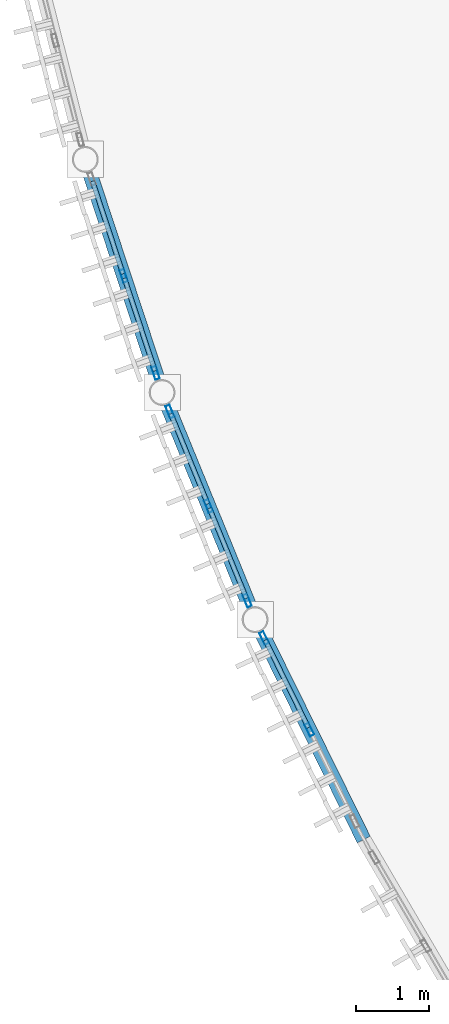
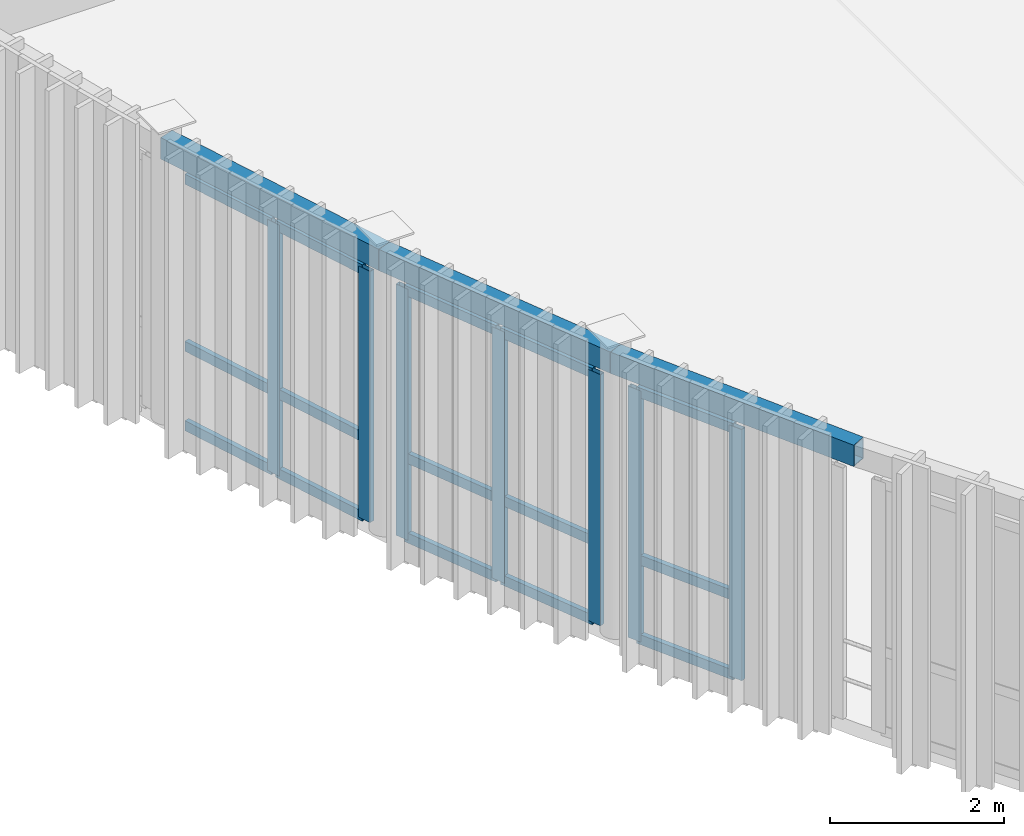
# One storey, part 9 of 26: 22 members, 3 beams, 3 elements without a shape of their own.
"""IFC4 building model written with IfcOpenShell, lengths in metres."""

from ifc_helpers import new_model, si_unit, direction, frame, origin, origin_2d, place, context, subcontext, project, spatial, hollow_rectangle, extrude, material, layer, layer_set, material_profile, profile_set, type_object, element, aggregate, save


model = new_model("IFC4")

# Units and contexts
model_context = context("Model", 3, precision=1e-05, world=origin(), true_north=direction((0.0, 1.0)))
body_context = subcontext(model_context, "Body", "Model", "MODEL_VIEW")
ifc_project = project(units=[si_unit("LENGTHUNIT", "METRE"), si_unit("AREAUNIT", "SQUARE_METRE"), si_unit("VOLUMEUNIT", "CUBIC_METRE"), si_unit("PLANEANGLEUNIT", "RADIAN"), si_unit("MASSUNIT", "GRAM", prefix="KILO")], contexts=[model_context])

# Site, building, storey
site_placement = place(None, origin())
site = spatial("IfcSite", under=ifc_project, at=site_placement, CompositionType="ELEMENT")
building_placement = place(site_placement, origin())
building = spatial("IfcBuilding", under=site, at=building_placement, Name="Selat Folded Stagehouse", CompositionType="ELEMENT")
storey_placement = place(building_placement, frame((0.0, 0.0, 23.39990234375)))
storey = spatial("IfcBuildingStorey", under=building, at=storey_placement, Name="L05", CompositionType="ELEMENT", Elevation=23.39990234375)

# Curtain wall, members
ifc_material_1 = material(Name="Aluminium 6063-T6", Category="aluminium")
ifc_layer = layer(ifc_material_1, 0.18505859375)
ifc_layer_set = layer_set([ifc_layer], Name="Aluminium 6063-T6")
curtain_wall_type = type_object("IfcCurtainWallType", Name="CW-DRM-UPPER", PredefinedType="NOTDEFINED", material=ifc_layer_set)
curtain_wall_1_placement = place(storey_placement, origin())
curtain_wall_1 = element("IfcCurtainWall", 1, at=curtain_wall_1_placement, inside=storey, type_object=curtain_wall_type, Name="L05 curtain wall CW-DRM-L05-06", PredefinedType="NOTDEFINED")
ifc_material_profile_1 = material_profile(ifc_material_1, hollow_rectangle(XDim=0.06494140625, YDim=0.179931640625, WallThickness=0.00390625, at=origin_2d()), Name="ALU 180x65x4.0")
ifc_profile_set_1 = profile_set([ifc_material_profile_1], Name="Aluminium 6063-T6")
member_type_1 = type_object("IfcMemberType", Name="CWM-MUL-180x65", PredefinedType="MULLION", material=ifc_profile_set_1)
member_1_placement = place(storey_placement, frame((2.879150390625, 31.652587890625, 0.0), z_axis=(0.0, 0.0, 1.0), x_axis=(-0.949754805107, -0.312994904395, 0.0)))
member_1 = element("IfcMember", 2, at=member_1_placement, type_object=member_type_1, Name="CW-03 mullion 1", PredefinedType="MULLION", context=body_context, shape_type="SweptSolid", body=[
    extrude(hollow_rectangle(XDim=0.06494140625, YDim=0.179931640625, WallThickness=0.00390625, at=origin_2d()), origin(), (0.0, 0.0, 1.0), 3.53515625),
])
member_2_placement = place(storey_placement, frame((2.440185546875, 32.984130859375, 0.0), z_axis=(0.0, 0.0, 1.0), x_axis=(-0.949754805107, -0.312994904395, 0.0)))
member_2 = element("IfcMember", 3, at=member_2_placement, type_object=member_type_1, Name="CW-03 mullion 2", PredefinedType="MULLION", context=body_context, shape_type="SweptSolid", body=[
    extrude(hollow_rectangle(XDim=0.06494140625, YDim=0.179931640625, WallThickness=0.00390625, at=origin_2d()), origin(), (0.0, 0.0, 1.0), 3.53515625),
])

curtain_wall_2_placement = place(storey_placement, origin())
curtain_wall_2 = element("IfcCurtainWall", 4, at=curtain_wall_2_placement, inside=storey, type_object=curtain_wall_type, Name="L05 curtain wall CW-DRM-L05-07", PredefinedType="NOTDEFINED")
member_3_placement = place(storey_placement, frame((4.136962890625, 28.52783203125, 0.0), z_axis=(0.0, 0.0, 1.0), x_axis=(-0.925441425231, -0.378890707813, 0.0)))
member_3 = element("IfcMember", 5, at=member_3_placement, type_object=member_type_1, Name="CW-03 mullion 1", PredefinedType="MULLION", context=body_context, shape_type="SweptSolid", body=[
    extrude(hollow_rectangle(XDim=0.06494140625, YDim=0.179931640625, WallThickness=0.00390625, at=origin_2d()), origin(), (0.0, 0.0, 1.0), 3.53515625),
])
member_4_placement = place(storey_placement, frame((3.605712890625, 29.8251953125, 0.0), z_axis=(0.0, 0.0, 1.0), x_axis=(-0.925441425231, -0.378890707813, 0.0)))
member_4 = element("IfcMember", 6, at=member_4_placement, type_object=member_type_1, Name="CW-03 mullion 2", PredefinedType="MULLION", context=body_context, shape_type="SweptSolid", body=[
    extrude(hollow_rectangle(XDim=0.06494140625, YDim=0.179931640625, WallThickness=0.00390625, at=origin_2d()), origin(), (0.0, 0.0, 1.0), 3.53515625),
])
member_5_placement = place(storey_placement, frame((3.07470703125, 31.122802734375, 0.0), z_axis=(0.0, 0.0, 1.0), x_axis=(-0.925441425231, -0.378890707813, 0.0)))
member_5 = element("IfcMember", 7, at=member_5_placement, type_object=member_type_1, Name="CW-03 mullion 3", PredefinedType="MULLION", context=body_context, shape_type="SweptSolid", body=[
    extrude(hollow_rectangle(XDim=0.06494140625, YDim=0.179931640625, WallThickness=0.00390625, at=origin_2d()), origin(), (0.0, 0.0, 1.0), 3.53515625),
])

curtain_wall_3_placement = place(storey_placement, origin())
curtain_wall_3 = element("IfcCurtainWall", 8, at=curtain_wall_3_placement, inside=storey, type_object=curtain_wall_type, Name="L05 curtain wall CW-DRM-L05-08", PredefinedType="NOTDEFINED")
member_6_placement = place(storey_placement, frame((4.989990234375, 26.756103515625, 0.0), z_axis=(0.0, 0.0, 1.0), x_axis=(-0.896598356392, -0.442844653705, 0.0)))
member_6 = element("IfcMember", 9, at=member_6_placement, type_object=member_type_1, Name="CW-03 mullion 2", PredefinedType="MULLION", context=body_context, shape_type="SweptSolid", body=[
    extrude(hollow_rectangle(XDim=0.06494140625, YDim=0.179931640625, WallThickness=0.00390625, at=origin_2d()), origin(), (0.0, 0.0, 1.0), 3.53515625),
])
member_7_placement = place(storey_placement, frame((4.369140625, 28.01318359375, 0.0), z_axis=(0.0, 0.0, 1.0), x_axis=(-0.896598356392, -0.442844653705, 0.0)))
member_7 = element("IfcMember", 10, at=member_7_placement, type_object=member_type_1, Name="CW-03 mullion 3", PredefinedType="MULLION", context=body_context, shape_type="SweptSolid", body=[
    extrude(hollow_rectangle(XDim=0.06494140625, YDim=0.179931640625, WallThickness=0.00390625, at=origin_2d()), origin(), (0.0, 0.0, 1.0), 3.53515625),
])

# Member
ifc_material_profile_2 = material_profile(ifc_material_1, hollow_rectangle(XDim=0.06494140625, YDim=0.139892578125, WallThickness=0.00390625, at=origin_2d()), Name="ALU 140x65x4.0")
ifc_profile_set_2 = profile_set([ifc_material_profile_2], Name="Aluminium 6063-T6")
member_type_2 = type_object("IfcMemberType", Name="CWM-TRN-140x65", PredefinedType="USERDEFINED", material=ifc_profile_set_2)
member_8_placement = place(storey_placement, frame((2.868896484375, 31.683349609375, 0.03271484375), z_axis=(-0.312993731662, 0.949755191584, 0.0), x_axis=(-0.949755191584, -0.312993731662, 0.0)))
member_8 = element("IfcMember", 11, at=member_8_placement, type_object=member_type_2, Name="CW-03 transom 1.1", ObjectType="TRANSOM", PredefinedType="USERDEFINED", context=body_context, shape_type="SweptSolid", body=[
    extrude(hollow_rectangle(XDim=0.06494140625, YDim=0.139892578125, WallThickness=0.00390625, at=origin_2d()), origin(), (0.0, 0.0, 1.0), 1.3369140625),
])

member_9_placement = place(storey_placement, frame((2.868896484375, 31.683349609375, 1.150146484375), z_axis=(-0.312993731662, 0.949755191584, 0.0), x_axis=(-0.949755191584, -0.312993731662, 0.0)))
member_9 = element("IfcMember", 12, at=member_9_placement, type_object=member_type_2, Name="CW-03 transom 1.2", ObjectType="TRANSOM", PredefinedType="USERDEFINED", context=body_context, shape_type="SweptSolid", body=[
    extrude(hollow_rectangle(XDim=0.06494140625, YDim=0.139892578125, WallThickness=0.00390625, at=origin_2d()), origin(), (0.0, 0.0, 1.0), 1.3369140625),
])

member_10_placement = place(storey_placement, frame((2.868896484375, 31.683349609375, 3.502685546875), z_axis=(-0.312993731662, 0.949755191584, 0.0), x_axis=(-0.949755191584, -0.312993731662, 0.0)))
member_10 = element("IfcMember", 13, at=member_10_placement, type_object=member_type_2, Name="CW-03 transom 1.3", ObjectType="TRANSOM", PredefinedType="USERDEFINED", context=body_context, shape_type="SweptSolid", body=[
    extrude(hollow_rectangle(XDim=0.06494140625, YDim=0.139892578125, WallThickness=0.00390625, at=origin_2d()), origin(), (0.0, 0.0, 1.0), 1.3369140625),
])

member_11_placement = place(storey_placement, frame((2.43017578125, 33.014892578125, 0.03271484375), z_axis=(-0.312993731662, 0.949755191584, 0.0), x_axis=(-0.949755191584, -0.312993731662, 0.0)))
member_11 = element("IfcMember", 14, at=member_11_placement, type_object=member_type_2, Name="CW-03 transom 2.1", ObjectType="TRANSOM", PredefinedType="USERDEFINED", context=body_context, shape_type="SweptSolid", body=[
    extrude(hollow_rectangle(XDim=0.06494140625, YDim=0.139892578125, WallThickness=0.00390625, at=origin_2d()), origin(), (0.0, 0.0, 1.0), 1.3369140625),
])

member_12_placement = place(storey_placement, frame((2.43017578125, 33.014892578125, 1.150146484375), z_axis=(-0.312993731662, 0.949755191584, 0.0), x_axis=(-0.949755191584, -0.312993731662, 0.0)))
member_12 = element("IfcMember", 15, at=member_12_placement, type_object=member_type_2, Name="CW-03 transom 2.2", ObjectType="TRANSOM", PredefinedType="USERDEFINED", context=body_context, shape_type="SweptSolid", body=[
    extrude(hollow_rectangle(XDim=0.06494140625, YDim=0.139892578125, WallThickness=0.00390625, at=origin_2d()), origin(), (0.0, 0.0, 1.0), 1.3369140625),
])

member_13_placement = place(storey_placement, frame((2.43017578125, 33.014892578125, 3.502685546875), z_axis=(-0.312993731662, 0.949755191584, 0.0), x_axis=(-0.949755191584, -0.312993731662, 0.0)))
member_13 = element("IfcMember", 16, at=member_13_placement, type_object=member_type_2, Name="CW-03 transom 2.3", ObjectType="TRANSOM", PredefinedType="USERDEFINED", context=body_context, shape_type="SweptSolid", body=[
    extrude(hollow_rectangle(XDim=0.06494140625, YDim=0.139892578125, WallThickness=0.00390625, at=origin_2d()), origin(), (0.0, 0.0, 1.0), 1.3369140625),
])

aggregate(curtain_wall_1, [member_1, member_2, member_8, member_9, member_10, member_11, member_12, member_13])

member_14_placement = place(storey_placement, frame((4.124755859375, 28.557861328125, 0.03271484375), z_axis=(-0.378903018668, 0.925436384872, 0.0), x_axis=(-0.925436384872, -0.378903018668, 0.0)))
member_14 = element("IfcMember", 17, at=member_14_placement, type_object=member_type_2, Name="CW-03 transom 1.1", ObjectType="TRANSOM", PredefinedType="USERDEFINED", context=body_context, shape_type="SweptSolid", body=[
    extrude(hollow_rectangle(XDim=0.06494140625, YDim=0.139892578125, WallThickness=0.00390625, at=origin_2d()), origin(), (0.0, 0.0, 1.0), 1.3369140625),
])

member_15_placement = place(storey_placement, frame((4.124755859375, 28.557861328125, 1.150146484375), z_axis=(-0.378903018668, 0.925436384872, 0.0), x_axis=(-0.925436384872, -0.378903018668, 0.0)))
member_15 = element("IfcMember", 18, at=member_15_placement, type_object=member_type_2, Name="CW-03 transom 1.2", ObjectType="TRANSOM", PredefinedType="USERDEFINED", context=body_context, shape_type="SweptSolid", body=[
    extrude(hollow_rectangle(XDim=0.06494140625, YDim=0.139892578125, WallThickness=0.00390625, at=origin_2d()), origin(), (0.0, 0.0, 1.0), 1.3369140625),
])

member_16_placement = place(storey_placement, frame((4.124755859375, 28.557861328125, 3.502685546875), z_axis=(-0.378903018668, 0.925436384872, 0.0), x_axis=(-0.925436384872, -0.378903018668, 0.0)))
member_16 = element("IfcMember", 19, at=member_16_placement, type_object=member_type_2, Name="CW-03 transom 1.3", ObjectType="TRANSOM", PredefinedType="USERDEFINED", context=body_context, shape_type="SweptSolid", body=[
    extrude(hollow_rectangle(XDim=0.06494140625, YDim=0.139892578125, WallThickness=0.00390625, at=origin_2d()), origin(), (0.0, 0.0, 1.0), 1.3369140625),
])

member_17_placement = place(storey_placement, frame((3.593505859375, 29.85546875, 0.03271484375), z_axis=(-0.378967058745, 0.925410162245, 0.0), x_axis=(-0.925410162245, -0.378967058745, 0.0)))
member_17 = element("IfcMember", 20, at=member_17_placement, type_object=member_type_2, Name="CW-03 transom 2.1", ObjectType="TRANSOM", PredefinedType="USERDEFINED", context=body_context, shape_type="SweptSolid", body=[
    extrude(hollow_rectangle(XDim=0.06494140625, YDim=0.139892578125, WallThickness=0.00390625, at=origin_2d()), origin(), (0.0, 0.0, 1.0), 1.336669921875),
])

member_18_placement = place(storey_placement, frame((3.593505859375, 29.85546875, 1.150146484375), z_axis=(-0.378967058745, 0.925410162245, 0.0), x_axis=(-0.925410162245, -0.378967058745, 0.0)))
member_18 = element("IfcMember", 21, at=member_18_placement, type_object=member_type_2, Name="CW-03 transom 2.2", ObjectType="TRANSOM", PredefinedType="USERDEFINED", context=body_context, shape_type="SweptSolid", body=[
    extrude(hollow_rectangle(XDim=0.06494140625, YDim=0.139892578125, WallThickness=0.00390625, at=origin_2d()), origin(), (0.0, 0.0, 1.0), 1.336669921875),
])

member_19_placement = place(storey_placement, frame((3.593505859375, 29.85546875, 3.502685546875), z_axis=(-0.378967058745, 0.925410162245, 0.0), x_axis=(-0.925410162245, -0.378967058745, 0.0)))
member_19 = element("IfcMember", 22, at=member_19_placement, type_object=member_type_2, Name="CW-03 transom 2.3", ObjectType="TRANSOM", PredefinedType="USERDEFINED", context=body_context, shape_type="SweptSolid", body=[
    extrude(hollow_rectangle(XDim=0.06494140625, YDim=0.139892578125, WallThickness=0.00390625, at=origin_2d()), origin(), (0.0, 0.0, 1.0), 1.336669921875),
])

aggregate(curtain_wall_2, [member_3, member_4, member_5, member_14, member_15, member_16, member_17, member_18, member_19])

member_20_placement = place(storey_placement, frame((4.9755859375, 26.78515625, 0.03271484375), z_axis=(-0.442753130164, 0.896643555561, 0.0), x_axis=(-0.896643555561, -0.442753130164, 0.0)))
member_20 = element("IfcMember", 23, at=member_20_placement, type_object=member_type_2, Name="CW-03 transom 2.1", ObjectType="TRANSOM", PredefinedType="USERDEFINED", context=body_context, shape_type="SweptSolid", body=[
    extrude(hollow_rectangle(XDim=0.06494140625, YDim=0.139892578125, WallThickness=0.00390625, at=origin_2d()), origin(), (0.0, 0.0, 1.0), 1.337158203125),
])

member_21_placement = place(storey_placement, frame((4.9755859375, 26.78515625, 1.150146484375), z_axis=(-0.442753130164, 0.896643555561, 0.0), x_axis=(-0.896643555561, -0.442753130164, 0.0)))
member_21 = element("IfcMember", 24, at=member_21_placement, type_object=member_type_2, Name="CW-03 transom 2.2", ObjectType="TRANSOM", PredefinedType="USERDEFINED", context=body_context, shape_type="SweptSolid", body=[
    extrude(hollow_rectangle(XDim=0.06494140625, YDim=0.139892578125, WallThickness=0.00390625, at=origin_2d()), origin(), (0.0, 0.0, 1.0), 1.337158203125),
])

member_22_placement = place(storey_placement, frame((4.9755859375, 26.78515625, 3.502685546875), z_axis=(-0.442753130164, 0.896643555561, 0.0), x_axis=(-0.896643555561, -0.442753130164, 0.0)))
member_22 = element("IfcMember", 25, at=member_22_placement, type_object=member_type_2, Name="CW-03 transom 2.3", ObjectType="TRANSOM", PredefinedType="USERDEFINED", context=body_context, shape_type="SweptSolid", body=[
    extrude(hollow_rectangle(XDim=0.06494140625, YDim=0.139892578125, WallThickness=0.00390625, at=origin_2d()), origin(), (0.0, 0.0, 1.0), 1.337158203125),
])

aggregate(curtain_wall_3, [member_6, member_7, member_20, member_21, member_22])

# Beams
ifc_material_2 = material(Name="Steel S355", Category="steel")
ifc_material_profile_3 = material_profile(ifc_material_2, hollow_rectangle(XDim=0.199951171875, YDim=0.300048828125, WallThickness=0.012451171875, at=origin_2d()), Name="RHS 300x200x12.5")
ifc_profile_set_3 = profile_set([ifc_material_profile_3], Name="Steel S355")
beam_type = type_object("IfcBeamType", Name="SPD-RHS-300x200", PredefinedType="SPANDREL", material=ifc_profile_set_3)
beam_placement = place(storey_placement, frame((1.9130859375, 34.583984375, 3.8251953125), z_axis=(0.312986630522, -0.949757531749, 0.0), x_axis=(0.949757531749, 0.312986630522, 0.0)))
element("IfcBeam", 26, at=beam_placement, inside=storey, type_object=beam_type, Name="L05 curved drum spandrel beam 7", PredefinedType="SPANDREL", context=body_context, shape_type="SweptSolid", body=[
    extrude(hollow_rectangle(XDim=0.199951171875, YDim=0.300048828125, WallThickness=0.012451171875, at=origin_2d()), origin(), (0.0, 0.0, 1.0), 3.368896484375),
])
for number, where, z_axis, x_axis, name in (
    (27, (2.967529296875, 31.38427734375, 3.8251953125), (0.3788501038, -0.925458048131, 0.0), (0.925458048131, 0.3788501038, 0.0), "L05 curved drum spandrel beam 8"),
    (28, (4.243896484375, 28.266357421875, 3.8251953125), (0.442889628602, -0.896576141148, 0.0), (0.896576141148, 0.442889628602, 0.0), "L05 curved drum spandrel beam 9"),
):
    element("IfcBeam", number, at=place(storey_placement, frame(where, z_axis=z_axis, x_axis=x_axis)), inside=storey, type_object=beam_type, Name=name, PredefinedType="SPANDREL", context=body_context, shape_type="SweptSolid", body=[
        extrude(hollow_rectangle(XDim=0.199951171875, YDim=0.300048828125, WallThickness=0.012451171875, at=origin_2d()), origin(), (0.0, 0.0, 1.0), 3.369140625),
    ])

save(model, "model.ifc")
